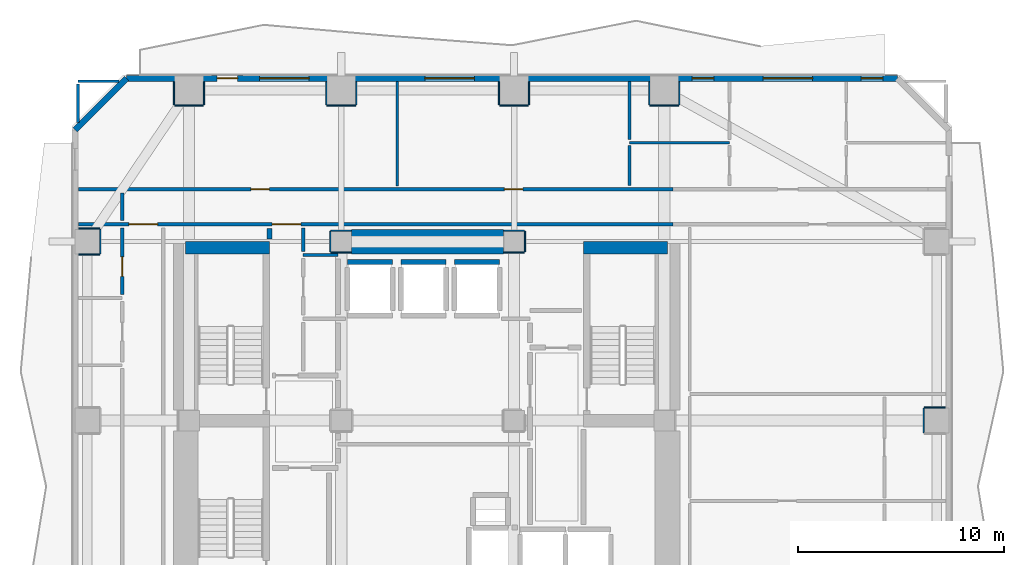
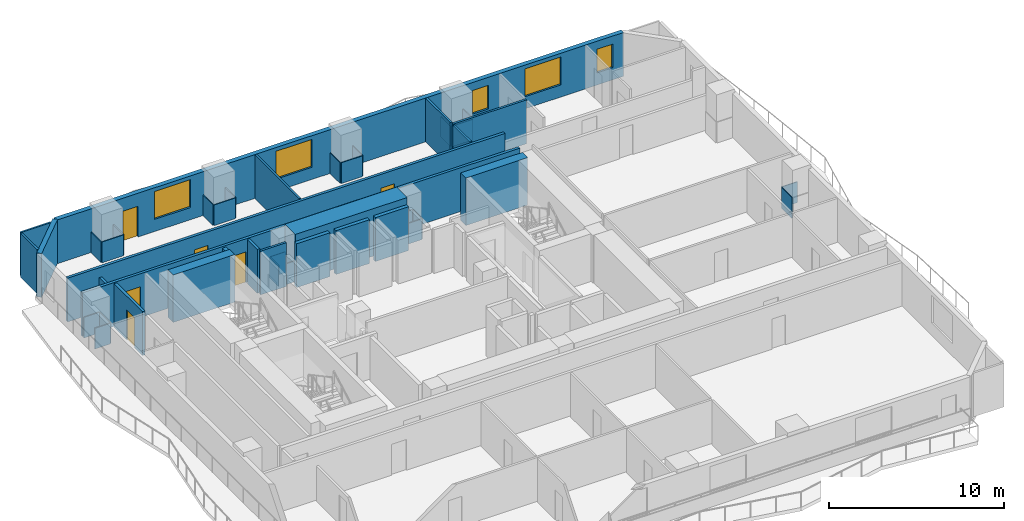
# One storey, part 5 of 9: 44 walls, 6 doors, 5 windows, 11 openings.
"""IFC4 building model written with IfcOpenShell, lengths in metres."""

from ifc_helpers import new_model, si_unit, direction, frame, frame_2d, origin, place, context, subcontext, project, spatial, rectangle, extrude, material, layer, layer_set, type_object, element, fill, save


model = new_model("IFC4")

# Units and contexts
model_context = context("Model", 3, precision=1e-05, world=origin(), true_north=direction((0.0, 1.0)))
body_context = subcontext(model_context, "Body", "Model", "MODEL_VIEW")
ifc_project = project(units=[si_unit("LENGTHUNIT", "METRE"), si_unit("AREAUNIT", "SQUARE_METRE"), si_unit("VOLUMEUNIT", "CUBIC_METRE"), si_unit("PLANEANGLEUNIT", "RADIAN"), si_unit("MASSUNIT", "GRAM", prefix="KILO")], contexts=[model_context])

# Site, building, storey
site_placement = place(None, origin())
site = spatial("IfcSite", under=ifc_project, at=site_placement, CompositionType="ELEMENT")
building_placement = place(site_placement, origin())
building = spatial("IfcBuilding", under=site, at=building_placement, Name="Solanera Arch Residences", CompositionType="ELEMENT")
storey_placement = place(building_placement, frame((0.0, 0.0, 55.199951171875)))
storey = spatial("IfcBuildingStorey", under=building, at=storey_placement, Name="L15", CompositionType="ELEMENT", Elevation=55.199951171875)

# Walls
ifc_material_1 = material(Name="Fire-Rated Gypsum Stud Partition", Category="gypsum")
ifc_layer_1 = layer(ifc_material_1, 0.06005859375)
ifc_layer_set_1 = layer_set([ifc_layer_1], Name="Fire-Rated Gypsum Stud Partition")
wall_type_1 = type_object("IfcWallType", Name="Column Acoustic Furring Wall 60", PredefinedType="PARTITIONING", material=ifc_layer_set_1)
for number, where, z_axis, x_axis, name in (
    (1, (20.300048828125, 38.867919921875, 0.0), (0.0, 0.0, 1.0), (1.0, 0.0, 0.0), "L15 Column Furring 3S"),
    (2, (20.300048828125, 39.931884765625, 0.0), (0.0, 0.0, 1.0), (1.0, 0.0, 0.0), "L15 Column Furring 3N"),
):
    element("IfcWall", number, at=place(storey_placement, frame(where, z_axis=z_axis, x_axis=x_axis)), inside=storey, type_object=wall_type_1, Name=name, PredefinedType="PARTITIONING", context=body_context, shape_type="SweptSolid", body=[
        extrude(rectangle(XDim=0.989990234375, YDim=0.06005859375, at=frame_2d((0.4951171875, 0.0))), origin(), (0.0, 0.0, 1.0), 1.449951171875),
    ])
wall_1_placement = place(storey_placement, frame((20.26806640625, 38.89990234375, 0.0), z_axis=(0.0, 0.0, 1.0), x_axis=(0.0, 1.0, 0.0)))
element("IfcWall", 3, at=wall_1_placement, inside=storey, type_object=wall_type_1, Name="L15 Column Furring 3W", PredefinedType="PARTITIONING", context=body_context, shape_type="SweptSolid", body=[
    extrude(rectangle(XDim=1.0, YDim=0.06005859375, at=frame_2d((0.5, 0.0))), origin(), (0.0, 0.0, 1.0), 1.449951171875),
])
for number, where, z_axis, x_axis, name in (
    (4, (28.7099609375, 38.867919921875, 0.0), (0.0, 0.0, 1.0), (1.0, 0.0, 0.0), "L15 Column Furring 4S"),
    (5, (28.7099609375, 39.931884765625, 0.0), (0.0, 0.0, 1.0), (1.0, 0.0, 0.0), "L15 Column Furring 4N"),
):
    element("IfcWall", number, at=place(storey_placement, frame(where, z_axis=z_axis, x_axis=x_axis)), inside=storey, type_object=wall_type_1, Name=name, PredefinedType="PARTITIONING", context=body_context, shape_type="SweptSolid", body=[
        extrude(rectangle(XDim=0.989990234375, YDim=0.06005859375, at=frame_2d((0.4951171875, 0.0))), origin(), (0.0, 0.0, 1.0), 1.449951171875),
    ])
wall_2_placement = place(storey_placement, frame((29.73193359375, 38.89990234375, 0.0), z_axis=(0.0, 0.0, 1.0), x_axis=(0.0, 1.0, 0.0)))
element("IfcWall", 6, at=wall_2_placement, inside=storey, type_object=wall_type_1, Name="L15 Column Furring 4E", PredefinedType="PARTITIONING", context=body_context, shape_type="SweptSolid", body=[
    extrude(rectangle(XDim=1.0, YDim=0.06005859375, at=frame_2d((0.5, 0.0))), origin(), (0.0, 0.0, 1.0), 1.449951171875),
])
wall_3_placement = place(storey_placement, frame((12.699951171875, 46.01806640625, 0.0), z_axis=(0.0, 0.0, 1.0), x_axis=(1.0, 0.0, 0.0)))
element("IfcWall", 7, at=wall_3_placement, inside=storey, type_object=wall_type_1, Name="L15 Column Furring 10S", PredefinedType="PARTITIONING", context=body_context, shape_type="SweptSolid", body=[
    extrude(rectangle(XDim=1.400146484375, YDim=0.06005859375, at=frame_2d((0.7001953125, 0.0))), origin(), (0.0, 0.0, 1.0), 1.449951171875),
])
for number, where, z_axis, x_axis, name in (
    (8, (12.66796875, 46.050048828125, 0.0), (0.0, 0.0, 1.0), (0.0, 1.0, 0.0), "L15 Column Furring 10W"),
    (9, (14.132080078125, 46.050048828125, 0.0), (0.0, 0.0, 1.0), (0.0, 1.0, 0.0), "L15 Column Furring 10E"),
):
    element("IfcWall", number, at=place(storey_placement, frame(where, z_axis=z_axis, x_axis=x_axis)), inside=storey, type_object=wall_type_1, Name=name, PredefinedType="PARTITIONING", context=body_context, shape_type="SweptSolid", body=[
        extrude(rectangle(XDim=1.119873046875, YDim=0.06005859375, at=frame_2d((0.56005859375, 0.0))), origin(), (0.0, 0.0, 1.0), 1.449951171875),
    ])
wall_4_placement = place(storey_placement, frame((20.10009765625, 46.01806640625, 0.0), z_axis=(0.0, 0.0, 1.0), x_axis=(1.0, 0.0, 0.0)))
element("IfcWall", 10, at=wall_4_placement, inside=storey, type_object=wall_type_1, Name="L15 Column Furring 12S", PredefinedType="PARTITIONING", context=body_context, shape_type="SweptSolid", body=[
    extrude(rectangle(XDim=1.39990234375, YDim=0.06005859375, at=frame_2d((0.699951171875, 0.0))), origin(), (0.0, 0.0, 1.0), 1.449951171875),
])
for number, where, z_axis, x_axis, name in (
    (11, (20.068115234375, 46.050048828125, 0.0), (0.0, 0.0, 1.0), (0.0, 1.0, 0.0), "L15 Column Furring 12W"),
    (12, (21.531982421875, 46.050048828125, 0.0), (0.0, 0.0, 1.0), (0.0, 1.0, 0.0), "L15 Column Furring 12E"),
):
    element("IfcWall", number, at=place(storey_placement, frame(where, z_axis=z_axis, x_axis=x_axis)), inside=storey, type_object=wall_type_1, Name=name, PredefinedType="PARTITIONING", context=body_context, shape_type="SweptSolid", body=[
        extrude(rectangle(XDim=1.119873046875, YDim=0.06005859375, at=frame_2d((0.56005859375, 0.0))), origin(), (0.0, 0.0, 1.0), 1.449951171875),
    ])
wall_5_placement = place(storey_placement, frame((28.5, 46.01806640625, 0.0), z_axis=(0.0, 0.0, 1.0), x_axis=(1.0, 0.0, 0.0)))
element("IfcWall", 13, at=wall_5_placement, inside=storey, type_object=wall_type_1, Name="L15 Column Furring 14S", PredefinedType="PARTITIONING", context=body_context, shape_type="SweptSolid", body=[
    extrude(rectangle(XDim=1.39990234375, YDim=0.06005859375, at=frame_2d((0.699951171875, 0.0))), origin(), (0.0, 0.0, 1.0), 1.449951171875),
])
for number, where, z_axis, x_axis, name in (
    (14, (28.468017578125, 46.050048828125, 0.0), (0.0, 0.0, 1.0), (0.0, 1.0, 0.0), "L15 Column Furring 14W"),
    (15, (29.931884765625, 46.050048828125, 0.0), (0.0, 0.0, 1.0), (0.0, 1.0, 0.0), "L15 Column Furring 14E"),
):
    element("IfcWall", number, at=place(storey_placement, frame(where, z_axis=z_axis, x_axis=x_axis)), inside=storey, type_object=wall_type_1, Name=name, PredefinedType="PARTITIONING", context=body_context, shape_type="SweptSolid", body=[
        extrude(rectangle(XDim=1.119873046875, YDim=0.06005859375, at=frame_2d((0.56005859375, 0.0))), origin(), (0.0, 0.0, 1.0), 1.449951171875),
    ])
wall_6_placement = place(storey_placement, frame((35.800048828125, 46.01806640625, 0.0), z_axis=(0.0, 0.0, 1.0), x_axis=(1.0, 0.0, 0.0)))
element("IfcWall", 16, at=wall_6_placement, inside=storey, type_object=wall_type_1, Name="L15 Column Furring 16S", PredefinedType="PARTITIONING", context=body_context, shape_type="SweptSolid", body=[
    extrude(rectangle(XDim=1.39990234375, YDim=0.06005859375, at=frame_2d((0.699951171875, 0.0))), origin(), (0.0, 0.0, 1.0), 1.449951171875),
])
for number, where, z_axis, x_axis, name in (
    (17, (35.76806640625, 46.050048828125, 0.0), (0.0, 0.0, 1.0), (0.0, 1.0, 0.0), "L15 Column Furring 16W"),
    (18, (37.23193359375, 46.050048828125, 0.0), (0.0, 0.0, 1.0), (0.0, 1.0, 0.0), "L15 Column Furring 16E"),
):
    element("IfcWall", number, at=place(storey_placement, frame(where, z_axis=z_axis, x_axis=x_axis)), inside=storey, type_object=wall_type_1, Name=name, PredefinedType="PARTITIONING", context=body_context, shape_type="SweptSolid", body=[
        extrude(rectangle(XDim=1.119873046875, YDim=0.06005859375, at=frame_2d((0.56005859375, 0.0))), origin(), (0.0, 0.0, 1.0), 1.449951171875),
    ])
wall_7_placement = place(storey_placement, frame((49.14990234375, 31.33203125, 0.0), z_axis=(0.0, 0.0, 1.0), x_axis=(1.0, 0.0, 0.0)))
element("IfcWall", 19, at=wall_7_placement, inside=storey, type_object=wall_type_1, Name="L15 Column Furring 20N", PredefinedType="PARTITIONING", context=body_context, shape_type="SweptSolid", body=[
    extrude(rectangle(XDim=1.02001953125, YDim=0.06005859375, at=frame_2d((0.510009765625, 0.0))), origin(), (0.0, 0.0, 1.0), 1.449951171875),
])
wall_8_placement = place(storey_placement, frame((49.117919921875, 30.10009765625, 0.0), z_axis=(0.0, 0.0, 1.0), x_axis=(0.0, 1.0, 0.0)))
element("IfcWall", 20, at=wall_8_placement, inside=storey, type_object=wall_type_1, Name="L15 Column Furring 20W", PredefinedType="PARTITIONING", context=body_context, shape_type="SweptSolid", body=[
    extrude(rectangle(XDim=1.199951171875, YDim=0.06005859375, at=frame_2d((0.60009765625, 0.0))), origin(), (0.0, 0.0, 1.0), 1.449951171875),
])
for number, where, z_axis, x_axis, name in (
    (21, (8.030029296875, 38.76806640625, 0.0), (0.0, 0.0, 1.0), (1.0, 0.0, 0.0), "L15 Column Furring 21S"),
    (22, (8.030029296875, 40.031982421875, 0.0), (0.0, 0.0, 1.0), (1.0, 0.0, 0.0), "L15 Column Furring 21N"),
):
    element("IfcWall", number, at=place(storey_placement, frame(where, z_axis=z_axis, x_axis=x_axis)), inside=storey, type_object=wall_type_1, Name=name, PredefinedType="PARTITIONING", context=body_context, shape_type="SweptSolid", body=[
        extrude(rectangle(XDim=1.02001953125, YDim=0.06005859375, at=frame_2d((0.510009765625, 0.0))), origin(), (0.0, 0.0, 1.0), 1.449951171875),
    ])
wall_9_placement = place(storey_placement, frame((9.08203125, 38.800048828125, 0.0), z_axis=(0.0, 0.0, 1.0), x_axis=(0.0, 1.0, 0.0)))
element("IfcWall", 23, at=wall_9_placement, inside=storey, type_object=wall_type_1, Name="L15 Column Furring 21E", PredefinedType="PARTITIONING", context=body_context, shape_type="SweptSolid", body=[
    extrude(rectangle(XDim=1.199951171875, YDim=0.06005859375, at=frame_2d((0.60009765625, 0.0))), origin(), (0.0, 0.0, 1.0), 1.449951171875),
])
ifc_material_2 = material(Name="Concrete C55/67 (f'c = 60 MPa)", Category="concrete")
ifc_layer_2 = layer(ifc_material_2, 1.199951171875)
ifc_layer_set_2 = layer_set([ifc_layer_2], Name="Concrete C55/67 (f'c = 60 MPa)")
wall_type_2 = type_object("IfcWallType", Name="Core Shear Wall CW-1200", PredefinedType="SHEAR", material=ifc_layer_set_2)
wall_10_placement = place(storey_placement, frame((21.304931640625, 39.39990234375, 0.0), z_axis=(0.0, 0.0, 1.0), x_axis=(1.0, 0.0, 0.0)))
element("IfcWall", 24, at=wall_10_placement, inside=storey, type_object=wall_type_2, Name="L15 Central North Core Shear Wall", PredefinedType="SHEAR", context=body_context, shape_type="SweptSolid", body=[
    extrude(rectangle(XDim=7.39013671875, YDim=1.199951171875, at=frame_2d((3.695068359375, 0.0))), origin(), (0.0, 0.0, 1.0), 3.320068359375),
])
ifc_material_3 = material(Name="Concrete C40/50 (f'c = 45 MPa)", Category="concrete")
ifc_layer_3 = layer(ifc_material_3, 0.60009765625)
ifc_layer_set_3 = layer_set([ifc_layer_3], Name="Concrete C40/50 (f'c = 45 MPa)")
wall_type_3 = type_object("IfcWallType", Name="Core Shear Wall CW-600", PredefinedType="SHEAR", material=ifc_layer_set_3)
wall_11_placement = place(storey_placement, frame((13.239990234375, 39.10009765625, 0.0), z_axis=(0.0, 0.0, 1.0), x_axis=(1.0, 0.0, 0.0)))
element("IfcWall", 25, at=wall_11_placement, inside=storey, type_object=wall_type_3, Name="L15 North-West Core Shear Wall", PredefinedType="SHEAR", context=body_context, shape_type="SweptSolid", body=[
    extrude(rectangle(XDim=4.080078125, YDim=0.60009765625, at=frame_2d((2.0400390625, 0.0))), origin(), (0.0, 0.0, 1.0), 3.320068359375),
])
wall_12_placement = place(storey_placement, frame((32.580078125, 39.10009765625, 0.0), z_axis=(0.0, 0.0, 1.0), x_axis=(1.0, 0.0, 0.0)))
element("IfcWall", 26, at=wall_12_placement, inside=storey, type_object=wall_type_3, Name="L15 North-East Core Shear Wall", PredefinedType="SHEAR", context=body_context, shape_type="SweptSolid", body=[
    extrude(rectangle(XDim=4.079833984375, YDim=0.60009765625, at=frame_2d((2.0400390625, 0.0))), origin(), (0.0, 0.0, 1.0), 3.320068359375),
])

# Wall, openings, doors
ifc_material_4 = material(Name="Autoclaved Aerated Concrete Blockwork", Category="masonry")
ifc_layer_4 = layer(ifc_material_4, 0.179931640625)
ifc_layer_set_4 = layer_set([ifc_layer_4], Name="Autoclaved Aerated Concrete Blockwork")
wall_type_4 = type_object("IfcWallType", Name="Corridor Fire Partition 180", PredefinedType="PARTITIONING", material=ifc_layer_set_4)
wall_13_placement = place(storey_placement, frame((8.027099609375, 40.25, 0.0), z_axis=(0.0, 0.0, 1.0), x_axis=(1.0, 0.0, 0.0)))
wall_13 = element("IfcWall", 27, at=wall_13_placement, inside=storey, type_object=wall_type_4, Name="L15 Interior Partition H10 1", PredefinedType="PARTITIONING", context=body_context, shape_type="SweptSolid", body=[
    extrude(rectangle(XDim=28.90478515625, YDim=0.179931640625, at=frame_2d((14.452392578125, 0.0))), origin(), (0.0, 0.0, 1.0), 3.06005859375),
])
opening_1_placement = place(wall_13_placement, frame((9.407958984375, 0.0, 0.0)))
opening_1 = element("IfcOpeningElement", 28, at=opening_1_placement, cuts=wall_13, Name="Opening DF-03", PredefinedType="OPENING", context=body_context, shape_type="SweptSolid", body=[
    extrude(rectangle(XDim=1.39990234375, YDim=2.14990234375, at=frame_2d((0.699951171875, 1.074951171875))), frame((0.0, 0.10009765625, 0.0), z_axis=(0.0, -1.0, 0.0), x_axis=(1.0, 0.0, 0.0)), (0.0, 0.0, 1.0), 0.1999),
])
opening_2_placement = place(wall_13_placement, frame((2.447021484375, 0.0, 0.0)))
opening_2 = element("IfcOpeningElement", 29, at=opening_2_placement, cuts=wall_13, Name="Opening DF-03", PredefinedType="OPENING", context=body_context, shape_type="SweptSolid", body=[
    extrude(rectangle(XDim=1.39990234375, YDim=2.14990234375, at=frame_2d((0.699951171875, 1.074951171875))), frame((0.0, 0.10009765625, 0.0), z_axis=(0.0, -1.0, 0.0), x_axis=(1.0, 0.0, 0.0)), (0.0, 0.0, 1.0), 0.1999),
])
ifc_material_5 = material(Name="Fire-Rated Architectural Hardwood", Category="wood")
door_type_1 = type_object("IfcDoorType", Name="Corridor Smoke Door DF-03", OperationType="NOTDEFINED", PredefinedType="DOOR", material=ifc_material_5)
door_1_placement = place(opening_1_placement, origin())
door_1 = element("IfcDoor", 30, at=door_1_placement, inside=storey, type_object=door_type_1, Name="DR-L15-IN-009", OperationType="SINGLE_SWING_LEFT", OverallHeight=2.14990234375, OverallWidth=1.39990234375, PredefinedType="DOOR", context=body_context, shape_type="SweptSolid", body=[
    extrude(rectangle(XDim=1.39990234375, YDim=2.14990234375, at=frame_2d((0.699951171875, 1.074951171875))), frame((0.0, 0.02490234375, 0.0), z_axis=(0.0, -1.0, 0.0), x_axis=(1.0, 0.0, 0.0)), (0.0, 0.0, 1.0), 0.050048828125),
])
fill(opening_1, door_1)
door_2_placement = place(opening_2_placement, origin())
door_2 = element("IfcDoor", 31, at=door_2_placement, inside=storey, type_object=door_type_1, Name="DR-L15-IN-011", OperationType="SINGLE_SWING_LEFT", OverallHeight=2.14990234375, OverallWidth=1.39990234375, PredefinedType="DOOR", context=body_context, shape_type="SweptSolid", body=[
    extrude(rectangle(XDim=1.39990234375, YDim=2.14990234375, at=frame_2d((0.699951171875, 1.074951171875))), frame((0.0, 0.02490234375, 0.0), z_axis=(0.0, -1.0, 0.0), x_axis=(1.0, 0.0, 0.0)), (0.0, 0.0, 1.0), 0.050048828125),
])
fill(opening_2, door_2)

wall_14_placement = place(storey_placement, frame((8.027099609375, 41.949951171875, 0.0), z_axis=(0.0, 0.0, 1.0), x_axis=(1.0, 0.0, 0.0)))
wall_14 = element("IfcWall", 32, at=wall_14_placement, inside=storey, type_object=wall_type_4, Name="L15 Interior Partition H11 1", PredefinedType="PARTITIONING", context=body_context, shape_type="SweptSolid", body=[
    extrude(rectangle(XDim=28.90478515625, YDim=0.179931640625, at=frame_2d((14.452392578125, 0.0))), origin(), (0.0, 0.0, 1.0), 3.06005859375),
])
opening_3_placement = place(wall_14_placement, frame((8.3740234375, 0.0, 0.0)))
opening_3 = element("IfcOpeningElement", 33, at=opening_3_placement, cuts=wall_14, Name="Opening DI-02", PredefinedType="OPENING", context=body_context, shape_type="SweptSolid", body=[
    extrude(rectangle(XDim=0.89990234375, YDim=2.10009765625, at=frame_2d((0.449951171875, 1.050048828125))), frame((0.0, 0.10009765625, 0.0), z_axis=(0.0, -1.0, 0.0), x_axis=(1.0, 0.0, 0.0)), (0.0, 0.0, 1.0), 0.1999),
])
opening_4_placement = place(wall_14_placement, frame((20.698974609375, 0.0, 0.0)))
opening_4 = element("IfcOpeningElement", 34, at=opening_4_placement, cuts=wall_14, Name="Opening DI-02", PredefinedType="OPENING", context=body_context, shape_type="SweptSolid", body=[
    extrude(rectangle(XDim=0.89990234375, YDim=2.10009765625, at=frame_2d((0.449951171875, 1.050048828125))), frame((0.0, 0.10009765625, 0.0), z_axis=(0.0, -1.0, 0.0), x_axis=(1.0, 0.0, 0.0)), (0.0, 0.0, 1.0), 0.1999),
])
ifc_material_6 = material(Name="Fire-Rated Architectural Hardwood", Category="wood")
door_type_2 = type_object("IfcDoorType", Name="Suite Room Swing Door DI-02", OperationType="NOTDEFINED", PredefinedType="DOOR", material=ifc_material_6)
door_3_placement = place(opening_3_placement, origin())
door_3 = element("IfcDoor", 35, at=door_3_placement, inside=storey, type_object=door_type_2, Name="DR-L15-IN-022", OperationType="SINGLE_SWING_RIGHT", OverallHeight=2.10009765625, OverallWidth=0.89990234375, PredefinedType="DOOR", context=body_context, shape_type="SweptSolid", body=[
    extrude(rectangle(XDim=0.89990234375, YDim=2.10009765625, at=frame_2d((0.449951171875, 1.050048828125))), frame((0.0, 0.02490234375, 0.0), z_axis=(0.0, -1.0, 0.0), x_axis=(1.0, 0.0, 0.0)), (0.0, 0.0, 1.0), 0.050048828125),
])
fill(opening_3, door_3)
door_4_placement = place(opening_4_placement, origin())
door_4 = element("IfcDoor", 36, at=door_4_placement, inside=storey, type_object=door_type_2, Name="DR-L15-IN-023", OperationType="SINGLE_SWING_LEFT", OverallHeight=2.10009765625, OverallWidth=0.89990234375, PredefinedType="DOOR", context=body_context, shape_type="SweptSolid", body=[
    extrude(rectangle(XDim=0.89990234375, YDim=2.10009765625, at=frame_2d((0.449951171875, 1.050048828125))), frame((0.0, 0.02490234375, 0.0), z_axis=(0.0, -1.0, 0.0), x_axis=(1.0, 0.0, 0.0)), (0.0, 0.0, 1.0), 0.050048828125),
])
fill(opening_4, door_4)

# Wall, opening, door
wall_15_placement = place(storey_placement, frame((10.14990234375, 36.818115234375, 0.0), z_axis=(0.0, 0.0, 1.0), x_axis=(0.0, 1.0, 0.0)))
wall_15 = element("IfcWall", 37, at=wall_15_placement, inside=storey, type_object=wall_type_4, Name="L15 Interior Partition V6 4", PredefinedType="PARTITIONING", context=body_context, shape_type="SweptSolid", body=[
    extrude(rectangle(XDim=3.243896484375, YDim=0.179931640625, at=frame_2d((1.6220703125, 0.0))), origin(), (0.0, 0.0, 1.0), 3.06005859375),
])
opening_5_placement = place(wall_15_placement, frame((0.89306640625, 0.0, 0.0)))
opening_5 = element("IfcOpeningElement", 38, at=opening_5_placement, cuts=wall_15, Name="Opening DI-04", PredefinedType="OPENING", context=body_context, shape_type="SweptSolid", body=[
    extrude(rectangle(XDim=0.949951171875, YDim=2.10009765625, at=frame_2d((0.47509765625, 1.050048828125))), frame((0.0, 0.10009765625, 0.0), z_axis=(0.0, -1.0, 0.0), x_axis=(1.0, 0.0, 0.0)), (0.0, 0.0, 1.0), 0.1999),
])
ifc_material_7 = material(Name="Fire-Rated Architectural Hardwood", Category="wood")
door_type_3 = type_object("IfcDoorType", Name="Accessible Restroom Door DI-04", OperationType="NOTDEFINED", PredefinedType="DOOR", material=ifc_material_7)
door_5_placement = place(opening_5_placement, origin())
door_5 = element("IfcDoor", 39, at=door_5_placement, inside=storey, type_object=door_type_3, Name="DR-L15-IN-030", OperationType="SINGLE_SWING_RIGHT", OverallHeight=2.10009765625, OverallWidth=0.949951171875, PredefinedType="DOOR", context=body_context, shape_type="SweptSolid", body=[
    extrude(rectangle(XDim=0.949951171875, YDim=2.10009765625, at=frame_2d((0.47509765625, 1.050048828125))), frame((0.0, 0.02490234375, 0.0), z_axis=(0.0, -1.0, 0.0), x_axis=(1.0, 0.0, 0.0)), (0.0, 0.0, 1.0), 0.050048828125),
])
fill(opening_5, door_5)

# Walls
wall_16_placement = place(storey_placement, frame((10.14990234375, 40.43798828125, 0.0), z_axis=(0.0, 0.0, 1.0), x_axis=(0.0, 1.0, 0.0)))
element("IfcWall", 40, at=wall_16_placement, inside=storey, type_object=wall_type_4, Name="L15 Interior Partition V6 5", PredefinedType="PARTITIONING", context=body_context, shape_type="SweptSolid", body=[
    extrude(rectangle(XDim=1.323974609375, YDim=0.179931640625, at=frame_2d((0.662109375, 0.0))), origin(), (0.0, 0.0, 1.0), 2.445068359375),
])
wall_17_placement = place(storey_placement, frame((18.949951171875, 38.91796875, 0.0), z_axis=(0.0, 0.0, 1.0), x_axis=(0.0, 1.0, 0.0)))
element("IfcWall", 41, at=wall_17_placement, inside=storey, type_object=wall_type_4, Name="L15 Interior Partition V8 3", PredefinedType="PARTITIONING", context=body_context, shape_type="SweptSolid", body=[
    extrude(rectangle(XDim=1.14404296875, YDim=0.179931640625, at=frame_2d((0.572021484375, 0.0))), origin(), (0.0, 0.0, 1.0), 3.06005859375),
])
ifc_material_8 = material(Name="Precast Concrete C35/45", Category="concrete")
ifc_layer_5 = layer(ifc_material_8, 0.300048828125)
ifc_layer_set_5 = layer_set([ifc_layer_5], Name="Precast Concrete C35/45")
wall_type_5 = type_object("IfcWallType", Name="Exterior Wall Precast Masonry-Frame 300", PredefinedType="STANDARD", material=ifc_layer_set_5)
wall_18_placement = place(storey_placement, frame((7.864990234375, 44.8349609375, 0.0), z_axis=(0.0, 0.0, 1.0), x_axis=(0.707106781187, 0.707106781187, 0.0)))
element("IfcWall", 42, at=wall_18_placement, inside=storey, type_object=wall_type_5, Name="L15 Tower Exterior Precast Masonry-Frame Wall CH1", PredefinedType="STANDARD", context=body_context, shape_type="SweptSolid", body=[
    extrude(rectangle(XDim=3.53564453125, YDim=0.300048828125, at=frame_2d((1.767822265625, 0.0))), origin(), (0.0, 0.0, 1.0), 3.06005859375),
])

# Wall, openings, door, windows
wall_19_placement = place(storey_placement, frame((10.364990234375, 47.3349609375, 0.0), z_axis=(0.0, 0.0, 1.0), x_axis=(1.0, 0.0, 0.0)))
wall_19 = element("IfcWall", 43, at=wall_19_placement, inside=storey, type_object=wall_type_5, Name="L15 Tower Exterior Precast Masonry-Frame Wall N", PredefinedType="STANDARD", context=body_context, shape_type="SweptSolid", body=[
    extrude(rectangle(XDim=37.469970703125, YDim=0.300048828125, at=frame_2d((18.73486328125, 0.0))), origin(), (0.0, 0.0, 1.0), 3.06005859375),
])
opening_6_placement = place(wall_19_placement, frame((4.403076171875, 0.0, 0.0)))
opening_6 = element("IfcOpeningElement", 44, at=opening_6_placement, cuts=wall_19, Name="Opening DB-01", PredefinedType="OPENING", context=body_context, shape_type="SweptSolid", body=[
    extrude(rectangle(XDim=1.0, YDim=2.14990234375, at=frame_2d((0.5, 1.074951171875))), frame((0.0, 0.159912109375, 0.0), z_axis=(0.0, -1.0, 0.0), x_axis=(1.0, 0.0, 0.0)), (0.0, 0.0, 1.0), 0.32),
])
opening_7_placement = place(wall_19_placement, frame((6.468994140625, 0.0, 0.85009765625)))
opening_7 = element("IfcOpeningElement", 45, at=opening_7_placement, cuts=wall_19, Name="Opening W-05", PredefinedType="OPENING", context=body_context, shape_type="SweptSolid", body=[
    extrude(rectangle(XDim=2.39990234375, YDim=1.949951171875, at=frame_2d((1.199951171875, 0.97509765625))), frame((0.0, 0.159912109375, 0.0), z_axis=(0.0, -1.0, 0.0), x_axis=(1.0, 0.0, 0.0)), (0.0, 0.0, 1.0), 0.32),
])
opening_8_placement = place(wall_19_placement, frame((14.5009765625, 0.0, 0.85009765625)))
opening_8 = element("IfcOpeningElement", 46, at=opening_8_placement, cuts=wall_19, Name="Opening W-05", PredefinedType="OPENING", context=body_context, shape_type="SweptSolid", body=[
    extrude(rectangle(XDim=2.39990234375, YDim=1.949951171875, at=frame_2d((1.199951171875, 0.97509765625))), frame((0.0, 0.159912109375, 0.0), z_axis=(0.0, -1.0, 0.0), x_axis=(1.0, 0.0, 0.0)), (0.0, 0.0, 1.0), 0.32),
])
opening_9_placement = place(wall_19_placement, frame((30.945068359375, 0.0, 0.85009765625)))
opening_9 = element("IfcOpeningElement", 47, at=opening_9_placement, cuts=wall_19, Name="Opening W-05", PredefinedType="OPENING", context=body_context, shape_type="SweptSolid", body=[
    extrude(rectangle(XDim=2.39990234375, YDim=1.949951171875, at=frame_2d((1.199951171875, 0.97509765625))), frame((0.0, 0.159912109375, 0.0), z_axis=(0.0, -1.0, 0.0), x_axis=(1.0, 0.0, 0.0)), (0.0, 0.0, 1.0), 0.32),
])
opening_10_placement = place(wall_19_placement, frame((27.492919921875, 0.0, 0.85009765625)))
opening_10 = element("IfcOpeningElement", 48, at=opening_10_placement, cuts=wall_19, Name="Opening W-07", PredefinedType="OPENING", context=body_context, shape_type="SweptSolid", body=[
    extrude(rectangle(XDim=1.050048828125, YDim=1.64990234375, at=frame_2d((0.52490234375, 0.824951171875))), frame((0.0, 0.159912109375, 0.0), z_axis=(0.0, -1.0, 0.0), x_axis=(1.0, 0.0, 0.0)), (0.0, 0.0, 1.0), 0.32),
])
opening_11_placement = place(wall_19_placement, frame((35.708984375, 0.0, 0.85009765625)))
opening_11 = element("IfcOpeningElement", 49, at=opening_11_placement, cuts=wall_19, Name="Opening W-07", PredefinedType="OPENING", context=body_context, shape_type="SweptSolid", body=[
    extrude(rectangle(XDim=1.050048828125, YDim=1.64990234375, at=frame_2d((0.52490234375, 0.824951171875))), frame((0.0, 0.159912109375, 0.0), z_axis=(0.0, -1.0, 0.0), x_axis=(1.0, 0.0, 0.0)), (0.0, 0.0, 1.0), 0.32),
])
ifc_material_9 = material(Name="Anodised Aluminium Alloy 6063-T6", Category="aluminium")
door_type_4 = type_object("IfcDoorType", Name="Glazed Balcony Swing Door DB-01", OperationType="NOTDEFINED", PredefinedType="DOOR", material=ifc_material_9)
door_6_placement = place(opening_6_placement, origin())
door_6 = element("IfcDoor", 50, at=door_6_placement, inside=storey, type_object=door_type_4, Name="DR-L15-OUT-02", OperationType="SINGLE_SWING_RIGHT", OverallHeight=2.14990234375, OverallWidth=1.0, PredefinedType="DOOR", context=body_context, shape_type="SweptSolid", body=[
    extrude(rectangle(XDim=1.0, YDim=2.14990234375, at=frame_2d((0.5, 1.074951171875))), frame((0.0, 0.02490234375, 0.0), z_axis=(0.0, -1.0, 0.0), x_axis=(1.0, 0.0, 0.0)), (0.0, 0.0, 1.0), 0.050048828125),
])
fill(opening_6, door_6)
ifc_material_10 = material(Name="Double Glazed Low-E Laminated Glass", Category="glass")
window_type_1 = type_object("IfcWindowType", Name="Punched Window W-05", PartitioningType="TRIPLE_PANEL_VERTICAL", PredefinedType="WINDOW", material=ifc_material_10)
window_1_placement = place(opening_7_placement, origin())
window_1 = element("IfcWindow", 51, at=window_1_placement, inside=storey, type_object=window_type_1, Name="L15 AMN-MTG1 Punched Window", OverallHeight=1.949951171875, OverallWidth=2.39990234375, PartitioningType="SINGLE_PANEL", PredefinedType="WINDOW", context=body_context, shape_type="SweptSolid", body=[
    extrude(rectangle(XDim=2.39990234375, YDim=1.949951171875, at=frame_2d((1.199951171875, 0.97509765625))), frame((0.0, 0.030029296875, 0.0), z_axis=(0.0, -1.0, 0.0), x_axis=(1.0, 0.0, 0.0)), (0.0, 0.0, 1.0), 0.06005859375),
])
fill(opening_7, window_1)
window_2_placement = place(opening_8_placement, origin())
window_2 = element("IfcWindow", 52, at=window_2_placement, inside=storey, type_object=window_type_1, Name="L15 AMN-MTG2 Punched Window", OverallHeight=1.949951171875, OverallWidth=2.39990234375, PartitioningType="SINGLE_PANEL", PredefinedType="WINDOW", context=body_context, shape_type="SweptSolid", body=[
    extrude(rectangle(XDim=2.39990234375, YDim=1.949951171875, at=frame_2d((1.199951171875, 0.97509765625))), frame((0.0, 0.030029296875, 0.0), z_axis=(0.0, -1.0, 0.0), x_axis=(1.0, 0.0, 0.0)), (0.0, 0.0, 1.0), 0.06005859375),
])
fill(opening_8, window_2)
window_3_placement = place(opening_9_placement, origin())
window_3 = element("IfcWindow", 53, at=window_3_placement, inside=storey, type_object=window_type_1, Name="L15 1502-LIV Punched Window", OverallHeight=1.949951171875, OverallWidth=2.39990234375, PartitioningType="SINGLE_PANEL", PredefinedType="WINDOW", context=body_context, shape_type="SweptSolid", body=[
    extrude(rectangle(XDim=2.39990234375, YDim=1.949951171875, at=frame_2d((1.199951171875, 0.97509765625))), frame((0.0, 0.030029296875, 0.0), z_axis=(0.0, -1.0, 0.0), x_axis=(1.0, 0.0, 0.0)), (0.0, 0.0, 1.0), 0.06005859375),
])
fill(opening_9, window_3)
ifc_material_11 = material(Name="Double Glazed Low-E Laminated Glass", Category="glass")
window_type_2 = type_object("IfcWindowType", Name="Punched Window W-07", PartitioningType="SINGLE_PANEL", PredefinedType="WINDOW", material=ifc_material_11)
window_4_placement = place(opening_10_placement, origin())
window_4 = element("IfcWindow", 54, at=window_4_placement, inside=storey, type_object=window_type_2, Name="L15 1502-BR1 Punched Window", OverallHeight=1.64990234375, OverallWidth=1.050048828125, PartitioningType="SINGLE_PANEL", PredefinedType="WINDOW", context=body_context, shape_type="SweptSolid", body=[
    extrude(rectangle(XDim=1.050048828125, YDim=1.64990234375, at=frame_2d((0.52490234375, 0.824951171875))), frame((0.0, 0.030029296875, 0.0), z_axis=(0.0, -1.0, 0.0), x_axis=(1.0, 0.0, 0.0)), (0.0, 0.0, 1.0), 0.06005859375),
])
fill(opening_10, window_4)
window_5_placement = place(opening_11_placement, origin())
window_5 = element("IfcWindow", 55, at=window_5_placement, inside=storey, type_object=window_type_2, Name="L15 1502-BR2 Punched Window", OverallHeight=1.64990234375, OverallWidth=1.050048828125, PartitioningType="SINGLE_PANEL", PredefinedType="WINDOW", context=body_context, shape_type="SweptSolid", body=[
    extrude(rectangle(XDim=1.050048828125, YDim=1.64990234375, at=frame_2d((0.52490234375, 0.824951171875))), frame((0.0, 0.030029296875, 0.0), z_axis=(0.0, -1.0, 0.0), x_axis=(1.0, 0.0, 0.0)), (0.0, 0.0, 1.0), 0.06005859375),
])
fill(opening_11, window_5)

# Walls
ifc_material_12 = material(Name="Autoclaved Aerated Concrete Blockwork", Category="masonry")
ifc_layer_6 = layer(ifc_material_12, 0.239990234375)
ifc_layer_set_6 = layer_set([ifc_layer_6], Name="Autoclaved Aerated Concrete Blockwork")
wall_type_6 = type_object("IfcWallType", Name="Shaft Wall Fire-Rated 240", PredefinedType="PARTITIONING", material=ifc_layer_set_6)
for number, where, z_axis, x_axis, name in (
    (56, (21.10009765625, 38.39990234375, 0.0), (0.0, 0.0, 1.0), (1.0, 0.0, 0.0), "L15 Lift PL-L1 Hoistway Wall N"),
    (57, (23.699951171875, 38.39990234375, 0.0), (0.0, 0.0, 1.0), (1.0, 0.0, 0.0), "L15 Lift PL-L2 Hoistway Wall N"),
    (58, (26.300048828125, 38.39990234375, 0.0), (0.0, 0.0, 1.0), (1.0, 0.0, 0.0), "L15 Lift PL-L3 Hoistway Wall N"),
):
    element("IfcWall", number, at=place(storey_placement, frame(where, z_axis=z_axis, x_axis=x_axis)), inside=storey, type_object=wall_type_6, Name=name, PredefinedType="PARTITIONING", context=body_context, shape_type="SweptSolid", body=[
        extrude(rectangle(XDim=2.199951171875, YDim=0.239990234375, at=frame_2d((1.10009765625, 0.0))), origin(), (0.0, 0.0, 1.0), 3.06005859375),
    ])
wall_20_placement = place(storey_placement, frame((17.320068359375, 39.530029296875, 0.0), z_axis=(0.0, 0.0, 1.0), x_axis=(0.0, 1.0, 0.0)))
element("IfcWall", 59, at=wall_20_placement, inside=storey, type_object=wall_type_6, Name="L15 Interior Partition V1", PredefinedType="PARTITIONING", context=body_context, shape_type="SweptSolid", body=[
    extrude(rectangle(XDim=0.501953125, YDim=0.239990234375, at=frame_2d((0.2509765625, 0.0))), origin(), (0.0, 0.0, 1.0), 3.06005859375),
])
ifc_material_13 = material(Name="Fire-Rated Gypsum Stud Partition", Category="gypsum")
ifc_layer_7 = layer(ifc_material_13, 0.1201171875)
ifc_layer_set_7 = layer_set([ifc_layer_7], Name="Fire-Rated Gypsum Stud Partition")
wall_type_7 = type_object("IfcWallType", Name="Unit Drywall Partition 120", PredefinedType="PARTITIONING", material=ifc_layer_set_7)
wall_21_placement = place(storey_placement, frame((8.0, 47.199951171875, 0.0), z_axis=(0.0, 0.0, 1.0), x_axis=(1.0, 0.0, 0.0)))
element("IfcWall", 60, at=wall_21_placement, inside=storey, type_object=wall_type_7, Name="L15 Interior Partition H21 1", PredefinedType="PARTITIONING", context=body_context, shape_type="SweptSolid", body=[
    extrude(rectangle(XDim=2.0009765625, YDim=0.1201171875, at=frame_2d((1.00048828125, 0.0))), origin(), (0.0, 0.0, 1.0), 3.06005859375),
])
wall_22_placement = place(storey_placement, frame((23.531982421875, 42.10791015625, 0.0), z_axis=(0.0, 0.0, 1.0), x_axis=(0.0, 1.0, 0.0)))
element("IfcWall", 61, at=wall_22_placement, inside=storey, type_object=wall_type_7, Name="L15 Interior Partition V18", PredefinedType="PARTITIONING", context=body_context, shape_type="SweptSolid", body=[
    extrude(rectangle(XDim=5.065185546875, YDim=0.1201171875, at=frame_2d((2.53271484375, 0.0))), origin(), (0.0, 0.0, 1.0), 3.06005859375),
])
ifc_material_14 = material(Name="Autoclaved Aerated Concrete Blockwork", Category="masonry")
ifc_layer_8 = layer(ifc_material_14, 0.139892578125)
ifc_layer_set_8 = layer_set([ifc_layer_8], Name="Autoclaved Aerated Concrete Blockwork")
wall_type_8 = type_object("IfcWallType", Name="Wet-Room Partition 140", PredefinedType="PARTITIONING", material=ifc_layer_set_8)
wall_23_placement = place(storey_placement, frame((18.949951171875, 38.75, 0.0), z_axis=(0.0, 0.0, 1.0), x_axis=(1.0, 0.0, 0.0)))
element("IfcWall", 62, at=wall_23_placement, inside=storey, type_object=wall_type_8, Name="L15 Interior Partition H16", PredefinedType="PARTITIONING", context=body_context, shape_type="SweptSolid", body=[
    extrude(rectangle(XDim=1.699951171875, YDim=0.139892578125, at=frame_2d((0.85009765625, 0.0))), origin(), (0.0, 0.0, 1.0), 3.06005859375),
])
wall_24_placement = place(storey_placement, frame((34.820068359375, 44.2080078125, 0.0), z_axis=(0.0, 0.0, 1.0), x_axis=(1.0, 0.0, 0.0)))
element("IfcWall", 63, at=wall_24_placement, inside=storey, type_object=wall_type_8, Name="L15 Interior Partition H17", PredefinedType="PARTITIONING", context=body_context, shape_type="SweptSolid", body=[
    extrude(rectangle(XDim=4.845947265625, YDim=0.139892578125, at=frame_2d((2.4228515625, 0.0))), origin(), (0.0, 0.0, 1.0), 3.06005859375),
])
wall_25_placement = place(storey_placement, frame((8.0, 45.198974609375, 0.0), z_axis=(0.0, 0.0, 1.0), x_axis=(0.0, 1.0, 0.0)))
element("IfcWall", 64, at=wall_25_placement, inside=storey, type_object=wall_type_8, Name="L15 Interior Partition V12", PredefinedType="PARTITIONING", context=body_context, shape_type="SweptSolid", body=[
    extrude(rectangle(XDim=1.863037109375, YDim=0.139892578125, at=frame_2d((0.931640625, 0.0))), origin(), (0.0, 0.0, 1.0), 3.06005859375),
])
wall_26_placement = place(storey_placement, frame((34.820068359375, 42.117919921875, 0.0), z_axis=(0.0, 0.0, 1.0), x_axis=(0.0, 1.0, 0.0)))
element("IfcWall", 65, at=wall_26_placement, inside=storey, type_object=wall_type_8, Name="L15 Interior Partition V14 1", PredefinedType="PARTITIONING", context=body_context, shape_type="SweptSolid", body=[
    extrude(rectangle(XDim=1.942138671875, YDim=0.139892578125, at=frame_2d((0.97119140625, 0.0))), origin(), (0.0, 0.0, 1.0), 3.06005859375),
])
wall_27_placement = place(storey_placement, frame((34.820068359375, 44.35595703125, 0.0), z_axis=(0.0, 0.0, 1.0), x_axis=(0.0, 1.0, 0.0)))
element("IfcWall", 66, at=wall_27_placement, inside=storey, type_object=wall_type_8, Name="L15 Interior Partition V14 2", PredefinedType="PARTITIONING", context=body_context, shape_type="SweptSolid", body=[
    extrude(rectangle(XDim=2.817138671875, YDim=0.139892578125, at=frame_2d((1.40869140625, 0.0))), origin(), (0.0, 0.0, 1.0), 3.06005859375),
])

save(model, "model.ifc")
